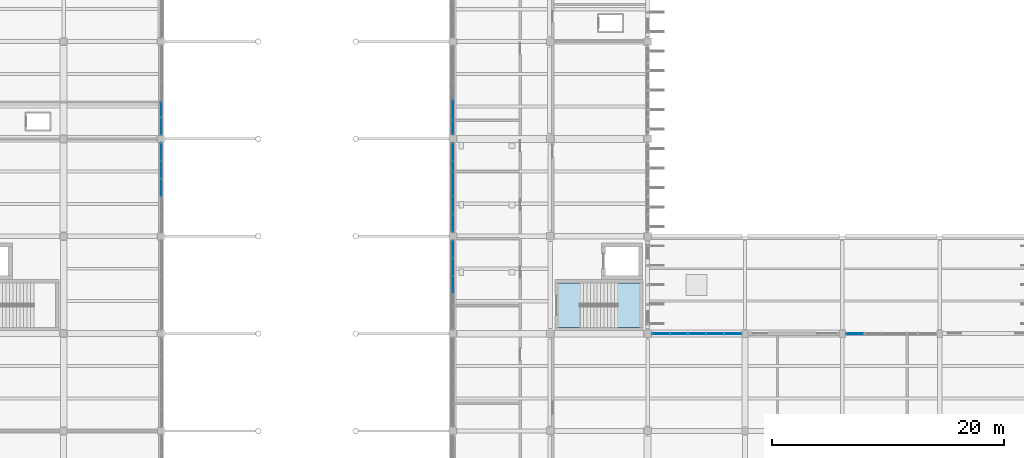
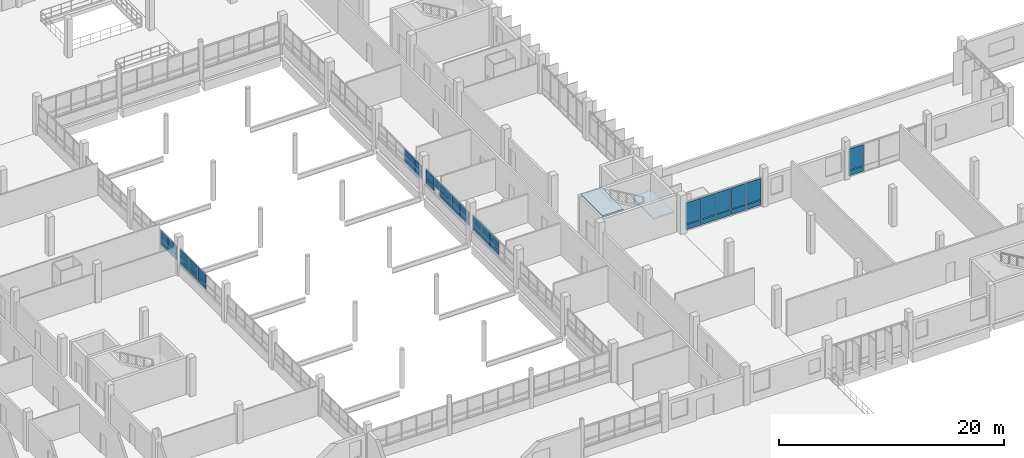
# One storey, part 75 of 101: 41 plates, 2 slabs, 8 elements without a shape of their own.
"""IFC4 building model written with IfcOpenShell, lengths in metres."""

from ifc_helpers import new_model, si_unit, direction, frame, origin, origin_2d, place, context, subcontext, project, spatial, polyline, rectangle, outline, extrude, material, layer, layer_set, type_object, element, aggregate, save


model = new_model("IFC4")

# Units and contexts
model_context = context("Model", 3, precision=1e-05, world=origin(), true_north=direction((0.0, 1.0)))
body_context = subcontext(model_context, "Body", "Model", "MODEL_VIEW")
ifc_project = project(units=[si_unit("LENGTHUNIT", "METRE"), si_unit("AREAUNIT", "SQUARE_METRE"), si_unit("VOLUMEUNIT", "CUBIC_METRE"), si_unit("PLANEANGLEUNIT", "RADIAN"), si_unit("MASSUNIT", "GRAM", prefix="KILO")], contexts=[model_context])

# Site, building, storey
site_placement = place(None, origin())
site = spatial("IfcSite", under=ifc_project, at=site_placement, CompositionType="ELEMENT")
building_placement = place(site_placement, origin())
building = spatial("IfcBuilding", under=site, at=building_placement, Name="Vireocrest Preparatory School", CompositionType="ELEMENT")
storey_placement = place(building_placement, frame((0.0, 0.0, 4.800048828125)))
storey = spatial("IfcBuildingStorey", under=building, at=storey_placement, Name="L01", CompositionType="ELEMENT", Elevation=4.800048828125)

# Curtain wall, plates
ifc_material_1 = material(Name="Thermally broken aluminium EN AW-6063-T6", Category="aluminium")
ifc_layer_1 = layer(ifc_material_1, 0.179931640625)
ifc_layer_set_1 = layer_set([ifc_layer_1], Name="Thermally broken aluminium EN AW-6063-T6")
curtain_wall_type_1 = type_object("IfcCurtainWallType", Name="Botanical Lab Glazing 8400x3400", PredefinedType="USERDEFINED", material=ifc_layer_set_1)
curtain_wall_1_placement = place(storey_placement, origin())
curtain_wall_1 = element("IfcCurtainWall", 1, at=curtain_wall_1_placement, inside=storey, type_object=curtain_wall_type_1, Name="Curtain Wall CW15 CW_L01_CW15_1095_0438_048", ObjectType="CURTAIN WALL", PredefinedType="USERDEFINED")
ifc_material_2 = material(Name="Insulated triple low-e tempered safety glass", Category="glass")
ifc_layer_2 = layer(ifc_material_2, 0.074951171875)
ifc_layer_set_2 = layer_set([ifc_layer_2], Name="Insulated triple low-e tempered safety glass")
plate_type_1 = type_object("IfcPlateType", Name="Acoustic Triple-Glazed Lab Curtain Panel 75", PredefinedType="CURTAIN_PANEL", material=ifc_layer_set_2)
plate_1_placement = place(storey_placement, frame((110.33544921875, 43.800048828125, 0.12744140625), z_axis=(0.0, 0.0, 1.0), x_axis=(1.0, 0.0, 0.0)))
plate_1 = element("IfcPlate", 2, at=plate_1_placement, type_object=plate_type_1, Name="CW Panel GL2 CW_L01_CW15_1095_0438_048-1-1", PredefinedType="CURTAIN_PANEL", context=body_context, shape_type="SweptSolid", body=[
    extrude(rectangle(XDim=1.486083984375, YDim=0.074951171875, at=origin_2d()), origin(), (0.0, 0.0, 1.0), 0.5400390625),
])
plate_2_placement = place(storey_placement, frame((110.33544921875, 43.800048828125, 0.732421875), z_axis=(0.0, 0.0, 1.0), x_axis=(1.0, 0.0, 0.0)))
plate_2 = element("IfcPlate", 3, at=plate_2_placement, type_object=plate_type_1, Name="CW Panel GL2 CW_L01_CW15_1095_0438_048-1-2", PredefinedType="CURTAIN_PANEL", context=body_context, shape_type="SweptSolid", body=[
    extrude(rectangle(XDim=1.486083984375, YDim=0.074951171875, at=origin_2d()), origin(), (0.0, 0.0, 1.0), 2.2900390625),
])
plate_3_placement = place(storey_placement, frame((111.886474609375, 43.800048828125, 0.12744140625), z_axis=(0.0, 0.0, 1.0), x_axis=(1.0, 0.0, 0.0)))
plate_3 = element("IfcPlate", 4, at=plate_3_placement, type_object=plate_type_1, Name="CW Panel GL2 CW_L01_CW15_1095_0438_048-2-1", PredefinedType="CURTAIN_PANEL", context=body_context, shape_type="SweptSolid", body=[
    extrude(rectangle(XDim=1.486083984375, YDim=0.074951171875, at=origin_2d()), origin(), (0.0, 0.0, 1.0), 0.5400390625),
])
plate_4_placement = place(storey_placement, frame((111.886474609375, 43.800048828125, 0.732421875), z_axis=(0.0, 0.0, 1.0), x_axis=(1.0, 0.0, 0.0)))
plate_4 = element("IfcPlate", 5, at=plate_4_placement, type_object=plate_type_1, Name="CW Panel GL2 CW_L01_CW15_1095_0438_048-2-2", PredefinedType="CURTAIN_PANEL", context=body_context, shape_type="SweptSolid", body=[
    extrude(rectangle(XDim=1.486083984375, YDim=0.074951171875, at=origin_2d()), origin(), (0.0, 0.0, 1.0), 2.2900390625),
])
plate_5_placement = place(storey_placement, frame((113.4375, 43.800048828125, 0.12744140625), z_axis=(0.0, 0.0, 1.0), x_axis=(1.0, 0.0, 0.0)))
plate_5 = element("IfcPlate", 6, at=plate_5_placement, type_object=plate_type_1, Name="CW Panel GL2 CW_L01_CW15_1095_0438_048-3-1", PredefinedType="CURTAIN_PANEL", context=body_context, shape_type="SweptSolid", body=[
    extrude(rectangle(XDim=1.486083984375, YDim=0.074951171875, at=origin_2d()), origin(), (0.0, 0.0, 1.0), 0.5400390625),
])
plate_6_placement = place(storey_placement, frame((113.4375, 43.800048828125, 0.732421875), z_axis=(0.0, 0.0, 1.0), x_axis=(1.0, 0.0, 0.0)))
plate_6 = element("IfcPlate", 7, at=plate_6_placement, type_object=plate_type_1, Name="CW Panel GL2 CW_L01_CW15_1095_0438_048-3-2", PredefinedType="CURTAIN_PANEL", context=body_context, shape_type="SweptSolid", body=[
    extrude(rectangle(XDim=1.486083984375, YDim=0.074951171875, at=origin_2d()), origin(), (0.0, 0.0, 1.0), 2.2900390625),
])
plate_7_placement = place(storey_placement, frame((114.988525390625, 43.800048828125, 0.12744140625), z_axis=(0.0, 0.0, 1.0), x_axis=(1.0, 0.0, 0.0)))
plate_7 = element("IfcPlate", 8, at=plate_7_placement, type_object=plate_type_1, Name="CW Panel GL2 CW_L01_CW15_1095_0438_048-4-1", PredefinedType="CURTAIN_PANEL", context=body_context, shape_type="SweptSolid", body=[
    extrude(rectangle(XDim=1.486083984375, YDim=0.074951171875, at=origin_2d()), origin(), (0.0, 0.0, 1.0), 0.5400390625),
])
plate_8_placement = place(storey_placement, frame((114.988525390625, 43.800048828125, 0.732421875), z_axis=(0.0, 0.0, 1.0), x_axis=(1.0, 0.0, 0.0)))
plate_8 = element("IfcPlate", 9, at=plate_8_placement, type_object=plate_type_1, Name="CW Panel GL2 CW_L01_CW15_1095_0438_048-4-2", PredefinedType="CURTAIN_PANEL", context=body_context, shape_type="SweptSolid", body=[
    extrude(rectangle(XDim=1.486083984375, YDim=0.074951171875, at=origin_2d()), origin(), (0.0, 0.0, 1.0), 2.2900390625),
])
plate_9_placement = place(storey_placement, frame((116.53955078125, 43.800048828125, 0.12744140625), z_axis=(0.0, 0.0, 1.0), x_axis=(1.0, 0.0, 0.0)))
plate_9 = element("IfcPlate", 10, at=plate_9_placement, type_object=plate_type_1, Name="CW Panel GL2 CW_L01_CW15_1095_0438_048-5-1", PredefinedType="CURTAIN_PANEL", context=body_context, shape_type="SweptSolid", body=[
    extrude(rectangle(XDim=1.486083984375, YDim=0.074951171875, at=origin_2d()), origin(), (0.0, 0.0, 1.0), 0.5400390625),
])
plate_10_placement = place(storey_placement, frame((116.53955078125, 43.800048828125, 0.732421875), z_axis=(0.0, 0.0, 1.0), x_axis=(1.0, 0.0, 0.0)))
plate_10 = element("IfcPlate", 11, at=plate_10_placement, type_object=plate_type_1, Name="CW Panel GL2 CW_L01_CW15_1095_0438_048-5-2", PredefinedType="CURTAIN_PANEL", context=body_context, shape_type="SweptSolid", body=[
    extrude(rectangle(XDim=1.486083984375, YDim=0.074951171875, at=origin_2d()), origin(), (0.0, 0.0, 1.0), 2.2900390625),
])
aggregate(curtain_wall_1, [plate_1, plate_2, plate_3, plate_4, plate_5, plate_6, plate_7, plate_8, plate_9, plate_10])

ifc_layer_3 = layer(ifc_material_1, 0.179931640625)
ifc_layer_set_3 = layer_set([ifc_layer_3], Name="Thermally broken aluminium EN AW-6063-T6")
curtain_wall_type_2 = type_object("IfcCurtainWallType", Name="Library Reading Bay Glazing 7600x4200", PredefinedType="USERDEFINED", material=ifc_layer_set_3)
curtain_wall_2_placement = place(storey_placement, origin())
curtain_wall_2 = element("IfcCurtainWall", 12, at=curtain_wall_2_placement, inside=storey, type_object=curtain_wall_type_2, Name="Curtain Wall CW16 CW_L01_CW16_1262_0438_048", ObjectType="CURTAIN WALL", PredefinedType="USERDEFINED")
plate_11_placement = place(storey_placement, frame((127.068115234375, 43.800048828125, 0.12744140625), z_axis=(0.0, 0.0, 1.0), x_axis=(1.0, 0.0, 0.0)))
plate_11 = element("IfcPlate", 13, at=plate_11_placement, type_object=plate_type_1, Name="CW Panel GL2 CW_L01_CW16_1262_0438_048-1-1", PredefinedType="CURTAIN_PANEL", context=body_context, shape_type="SweptSolid", body=[
    extrude(rectangle(XDim=1.5009765625, YDim=0.074951171875, at=origin_2d()), origin(), (0.0, 0.0, 1.0), 0.5400390625),
])
plate_12_placement = place(storey_placement, frame((127.068115234375, 43.800048828125, 0.732421875), z_axis=(0.0, 0.0, 1.0), x_axis=(1.0, 0.0, 0.0)))
plate_12 = element("IfcPlate", 14, at=plate_12_placement, type_object=plate_type_1, Name="CW Panel GL2 CW_L01_CW16_1262_0438_048-1-2", PredefinedType="CURTAIN_PANEL", context=body_context, shape_type="SweptSolid", body=[
    extrude(rectangle(XDim=1.5009765625, YDim=0.074951171875, at=origin_2d()), origin(), (0.0, 0.0, 1.0), 2.2900390625),
])
aggregate(curtain_wall_2, [plate_11, plate_12])

# Stair, slabs
ifc_material_3 = material(Name="Concrete 40 MPa", Category="concrete")
stair_type = type_object("IfcStairType", Name="Feature Library Stair 4200 Rise 1800 Wide", PredefinedType="HALF_TURN_STAIR", material=ifc_material_3)
stair_placement = place(storey_placement, origin())
stair = element("IfcStair", 15, at=stair_placement, inside=storey, type_object=stair_type, Name="Two-Run Stair ST2-L01", PredefinedType="HALF_TURN_STAIR")
ifc_layer_4 = layer(ifc_material_3, 0.179931640625)
ifc_layer_set_4 = layer_set([ifc_layer_4], Name="Concrete 40 MPa")
slab_type = type_object("IfcSlabType", Name="Precast Concrete Stair Landing Slab 180", PredefinedType="LANDING", material=ifc_layer_set_4)
slab_1_placement = place(storey_placement, frame((0.0, 0.0, 1.919921875)))
slab_1 = element("IfcSlab", 16, at=slab_1_placement, type_object=slab_type, Name="Stair Half-Landing ST2-L01", PredefinedType="LANDING", context=body_context, shape_type="SweptSolid", body=[
    extrude(outline(polyline([(106.590087890625, 44.31005859375), (108.64501953125, 44.31005859375), (108.64501953125, 48.18994140625), (106.590087890625, 48.18994140625), (106.590087890625, 44.31005859375)])), origin(), (0.0, 0.0, 1.0), 0.179931640625),
])
slab_2_placement = place(storey_placement, frame((0.0, 0.0, 4.02001953125)))
slab_2 = element("IfcSlab", 17, at=slab_2_placement, type_object=slab_type, Name="Stair Arrival Landing ST2-L01", PredefinedType="LANDING", context=body_context, shape_type="SweptSolid", body=[
    extrude(outline(polyline([(101.35498046875, 44.31005859375), (103.465087890625, 44.31005859375), (103.465087890625, 48.18994140625), (101.35498046875, 48.18994140625), (101.35498046875, 44.31005859375)])), origin(), (0.0, 0.0, 1.0), 0.179931640625),
])
aggregate(stair, [slab_1, slab_2])

# Curtain wall, plates
ifc_layer_5 = layer(ifc_material_1, 0.179931640625)
ifc_layer_set_5 = layer_set([ifc_layer_5], Name="Thermally broken aluminium EN AW-6063-T6")
curtain_wall_type_3 = type_object("IfcCurtainWallType", Name="Court Banded Curtain Wall 8400x3000", PredefinedType="USERDEFINED", material=ifc_layer_set_5)
curtain_wall_3_placement = place(storey_placement, origin())
curtain_wall_3 = element("IfcCurtainWall", 18, at=curtain_wall_3_placement, inside=storey, type_object=curtain_wall_type_3, Name="Curtain Wall CW02 CW_L01_CW02_0672_0525_060", ObjectType="CURTAIN WALL", PredefinedType="USERDEFINED")
ifc_layer_6 = layer(ifc_material_2, 0.06005859375)
ifc_layer_set_6 = layer_set([ifc_layer_6], Name="Insulated triple low-e tempered safety glass")
plate_type_2 = type_object("IfcPlateType", Name="Triple-Glazed Vision Curtain Panel 60", PredefinedType="CURTAIN_PANEL", material=ifc_layer_set_6)
plate_13_placement = place(storey_placement, frame((67.199951171875, 56.39990234375, 1.27734375), z_axis=(0.0, 0.0, 1.0), x_axis=(0.0, 1.0, 0.0)))
plate_13 = element("IfcPlate", 19, at=plate_13_placement, type_object=plate_type_2, Name="CW Panel GL1 CW_L01_CW02_0672_0525_060-3-1", PredefinedType="CURTAIN_PANEL", context=body_context, shape_type="SweptSolid", body=[
    extrude(rectangle(XDim=1.48095703125, YDim=0.06005859375, at=origin_2d()), origin(), (0.0, 0.0, 1.0), 0.5400390625),
])
plate_14_placement = place(storey_placement, frame((67.199951171875, 56.39990234375, 1.88232421875), z_axis=(0.0, 0.0, 1.0), x_axis=(0.0, 1.0, 0.0)))
plate_14 = element("IfcPlate", 20, at=plate_14_placement, type_object=plate_type_2, Name="CW Panel GL1 CW_L01_CW02_0672_0525_060-3-2", PredefinedType="CURTAIN_PANEL", context=body_context, shape_type="SweptSolid", body=[
    extrude(rectangle(XDim=1.48095703125, YDim=0.06005859375, at=origin_2d()), origin(), (0.0, 0.0, 1.0), 0.969970703125),
])
plate_15_placement = place(storey_placement, frame((67.199951171875, 57.946044921875, 1.27734375), z_axis=(0.0, 0.0, 1.0), x_axis=(0.0, 1.0, 0.0)))
plate_15 = element("IfcPlate", 21, at=plate_15_placement, type_object=plate_type_2, Name="CW Panel GL1 CW_L01_CW02_0672_0525_060-4-1", PredefinedType="CURTAIN_PANEL", context=body_context, shape_type="SweptSolid", body=[
    extrude(rectangle(XDim=1.48095703125, YDim=0.06005859375, at=origin_2d()), origin(), (0.0, 0.0, 1.0), 0.5400390625),
])
plate_16_placement = place(storey_placement, frame((67.199951171875, 57.946044921875, 1.88232421875), z_axis=(0.0, 0.0, 1.0), x_axis=(0.0, 1.0, 0.0)))
plate_16 = element("IfcPlate", 22, at=plate_16_placement, type_object=plate_type_2, Name="CW Panel GL1 CW_L01_CW02_0672_0525_060-4-2", PredefinedType="CURTAIN_PANEL", context=body_context, shape_type="SweptSolid", body=[
    extrude(rectangle(XDim=1.48095703125, YDim=0.06005859375, at=origin_2d()), origin(), (0.0, 0.0, 1.0), 0.969970703125),
])
plate_17_placement = place(storey_placement, frame((67.199951171875, 59.491943359375, 1.27734375), z_axis=(0.0, 0.0, 1.0), x_axis=(0.0, 1.0, 0.0)))
plate_17 = element("IfcPlate", 23, at=plate_17_placement, type_object=plate_type_2, Name="CW Panel GL1 CW_L01_CW02_0672_0525_060-5-1", PredefinedType="CURTAIN_PANEL", context=body_context, shape_type="SweptSolid", body=[
    extrude(rectangle(XDim=1.48095703125, YDim=0.06005859375, at=origin_2d()), origin(), (0.0, 0.0, 1.0), 0.5400390625),
])
plate_18_placement = place(storey_placement, frame((67.199951171875, 59.491943359375, 1.88232421875), z_axis=(0.0, 0.0, 1.0), x_axis=(0.0, 1.0, 0.0)))
plate_18 = element("IfcPlate", 24, at=plate_18_placement, type_object=plate_type_2, Name="CW Panel GL1 CW_L01_CW02_0672_0525_060-5-2", PredefinedType="CURTAIN_PANEL", context=body_context, shape_type="SweptSolid", body=[
    extrude(rectangle(XDim=1.48095703125, YDim=0.06005859375, at=origin_2d()), origin(), (0.0, 0.0, 1.0), 0.969970703125),
])
aggregate(curtain_wall_3, [plate_13, plate_14, plate_15, plate_16, plate_17, plate_18])

curtain_wall_4_placement = place(storey_placement, origin())
curtain_wall_4 = element("IfcCurtainWall", 25, at=curtain_wall_4_placement, inside=storey, type_object=curtain_wall_type_3, Name="Curtain Wall CW02 CW_L01_CW02_0672_0609_060", ObjectType="CURTAIN WALL", PredefinedType="USERDEFINED")
plate_19_placement = place(storey_placement, frame((67.199951171875, 61.7080078125, 1.27734375), z_axis=(0.0, 0.0, 1.0), x_axis=(0.0, 1.0, 0.0)))
plate_19 = element("IfcPlate", 26, at=plate_19_placement, type_object=plate_type_2, Name="CW Panel GL1 CW_L01_CW02_0672_0609_060-1-1", PredefinedType="CURTAIN_PANEL", context=body_context, shape_type="SweptSolid", body=[
    extrude(rectangle(XDim=1.48095703125, YDim=0.06005859375, at=origin_2d()), origin(), (0.0, 0.0, 1.0), 0.5400390625),
])
plate_20_placement = place(storey_placement, frame((67.199951171875, 61.7080078125, 1.882568359375), z_axis=(0.0, 0.0, 1.0), x_axis=(0.0, 1.0, 0.0)))
plate_20 = element("IfcPlate", 27, at=plate_20_placement, type_object=plate_type_2, Name="CW Panel GL1 CW_L01_CW02_0672_0609_060-1-2", PredefinedType="CURTAIN_PANEL", context=body_context, shape_type="SweptSolid", body=[
    extrude(rectangle(XDim=1.48095703125, YDim=0.06005859375, at=origin_2d()), origin(), (0.0, 0.0, 1.0), 0.919921875),
])
plate_21_placement = place(storey_placement, frame((67.199951171875, 63.140380859375, 1.27734375), z_axis=(0.0, 0.0, 1.0), x_axis=(0.0, 1.0, 0.0)))
plate_21 = element("IfcPlate", 28, at=plate_21_placement, type_object=plate_type_2, Name="CW Panel GL1 CW_L01_CW02_0672_0609_060-2-1", PredefinedType="CURTAIN_PANEL", context=body_context, shape_type="SweptSolid", body=[
    extrude(rectangle(XDim=1.25390625, YDim=0.06005859375, at=origin_2d()), origin(), (0.0, 0.0, 1.0), 0.5400390625),
])
plate_22_placement = place(storey_placement, frame((67.199951171875, 63.140380859375, 1.882568359375), z_axis=(0.0, 0.0, 1.0), x_axis=(0.0, 1.0, 0.0)))
plate_22 = element("IfcPlate", 29, at=plate_22_placement, type_object=plate_type_2, Name="CW Panel GL1 CW_L01_CW02_0672_0609_060-2-2", PredefinedType="CURTAIN_PANEL", context=body_context, shape_type="SweptSolid", body=[
    extrude(rectangle(XDim=1.25390625, YDim=0.06005859375, at=origin_2d()), origin(), (0.0, 0.0, 1.0), 0.919921875),
])
aggregate(curtain_wall_4, [plate_19, plate_20, plate_21, plate_22])

curtain_wall_5_placement = place(storey_placement, origin())
curtain_wall_5 = element("IfcCurtainWall", 30, at=curtain_wall_5_placement, inside=storey, type_object=curtain_wall_type_3, Name="Curtain Wall CW02 CW_L01_CW02_0924_0441_060", ObjectType="CURTAIN WALL", PredefinedType="USERDEFINED")
plate_23_placement = place(storey_placement, frame((92.39990234375, 48.0, 1.27734375), z_axis=(0.0, 0.0, 1.0), x_axis=(0.0, 1.0, 0.0)))
plate_23 = element("IfcPlate", 31, at=plate_23_placement, type_object=plate_type_2, Name="CW Panel GL1 CW_L01_CW02_0924_0441_060-3-1", PredefinedType="CURTAIN_PANEL", context=body_context, shape_type="SweptSolid", body=[
    extrude(rectangle(XDim=1.470947265625, YDim=0.06005859375, at=origin_2d()), origin(), (0.0, 0.0, 1.0), 0.5400390625),
])
plate_24_placement = place(storey_placement, frame((92.39990234375, 48.0, 1.88232421875), z_axis=(0.0, 0.0, 1.0), x_axis=(0.0, 1.0, 0.0)))
plate_24 = element("IfcPlate", 32, at=plate_24_placement, type_object=plate_type_2, Name="CW Panel GL1 CW_L01_CW02_0924_0441_060-3-2", PredefinedType="CURTAIN_PANEL", context=body_context, shape_type="SweptSolid", body=[
    extrude(rectangle(XDim=1.470947265625, YDim=0.06005859375, at=origin_2d()), origin(), (0.0, 0.0, 1.0), 0.909912109375),
])
plate_25_placement = place(storey_placement, frame((92.39990234375, 49.535888671875, 1.27734375), z_axis=(0.0, 0.0, 1.0), x_axis=(0.0, 1.0, 0.0)))
plate_25 = element("IfcPlate", 33, at=plate_25_placement, type_object=plate_type_2, Name="CW Panel GL1 CW_L01_CW02_0924_0441_060-4-1", PredefinedType="CURTAIN_PANEL", context=body_context, shape_type="SweptSolid", body=[
    extrude(rectangle(XDim=1.470947265625, YDim=0.06005859375, at=origin_2d()), origin(), (0.0, 0.0, 1.0), 0.5400390625),
])
plate_26_placement = place(storey_placement, frame((92.39990234375, 49.535888671875, 1.88232421875), z_axis=(0.0, 0.0, 1.0), x_axis=(0.0, 1.0, 0.0)))
plate_26 = element("IfcPlate", 34, at=plate_26_placement, type_object=plate_type_2, Name="CW Panel GL1 CW_L01_CW02_0924_0441_060-4-2", PredefinedType="CURTAIN_PANEL", context=body_context, shape_type="SweptSolid", body=[
    extrude(rectangle(XDim=1.470947265625, YDim=0.06005859375, at=origin_2d()), origin(), (0.0, 0.0, 1.0), 0.909912109375),
])
plate_27_placement = place(storey_placement, frame((92.39990234375, 51.072021484375, 1.27734375), z_axis=(0.0, 0.0, 1.0), x_axis=(0.0, 1.0, 0.0)))
plate_27 = element("IfcPlate", 35, at=plate_27_placement, type_object=plate_type_2, Name="CW Panel GL1 CW_L01_CW02_0924_0441_060-5-1", PredefinedType="CURTAIN_PANEL", context=body_context, shape_type="SweptSolid", body=[
    extrude(rectangle(XDim=1.470947265625, YDim=0.06005859375, at=origin_2d()), origin(), (0.0, 0.0, 1.0), 0.5400390625),
])
plate_28_placement = place(storey_placement, frame((92.39990234375, 51.072021484375, 1.88232421875), z_axis=(0.0, 0.0, 1.0), x_axis=(0.0, 1.0, 0.0)))
plate_28 = element("IfcPlate", 36, at=plate_28_placement, type_object=plate_type_2, Name="CW Panel GL1 CW_L01_CW02_0924_0441_060-5-2", PredefinedType="CURTAIN_PANEL", context=body_context, shape_type="SweptSolid", body=[
    extrude(rectangle(XDim=1.470947265625, YDim=0.06005859375, at=origin_2d()), origin(), (0.0, 0.0, 1.0), 0.909912109375),
])
aggregate(curtain_wall_5, [plate_23, plate_24, plate_25, plate_26, plate_27, plate_28])

curtain_wall_6_placement = place(storey_placement, origin())
curtain_wall_6 = element("IfcCurtainWall", 37, at=curtain_wall_6_placement, inside=storey, type_object=curtain_wall_type_3, Name="Curtain Wall CW02 CW_L01_CW02_0924_0525_060", ObjectType="CURTAIN WALL", PredefinedType="USERDEFINED")
plate_29_placement = place(storey_placement, frame((92.39990234375, 53.327880859375, 1.27734375), z_axis=(0.0, 0.0, 1.0), x_axis=(0.0, 1.0, 0.0)))
plate_29 = element("IfcPlate", 38, at=plate_29_placement, type_object=plate_type_2, Name="CW Panel GL1 CW_L01_CW02_0924_0525_060-1-1", PredefinedType="CURTAIN_PANEL", context=body_context, shape_type="SweptSolid", body=[
    extrude(rectangle(XDim=1.470947265625, YDim=0.06005859375, at=origin_2d()), origin(), (0.0, 0.0, 1.0), 0.5400390625),
])
plate_30_placement = place(storey_placement, frame((92.39990234375, 53.327880859375, 1.88232421875), z_axis=(0.0, 0.0, 1.0), x_axis=(0.0, 1.0, 0.0)))
plate_30 = element("IfcPlate", 39, at=plate_30_placement, type_object=plate_type_2, Name="CW Panel GL1 CW_L01_CW02_0924_0525_060-1-2", PredefinedType="CURTAIN_PANEL", context=body_context, shape_type="SweptSolid", body=[
    extrude(rectangle(XDim=1.470947265625, YDim=0.06005859375, at=origin_2d()), origin(), (0.0, 0.0, 1.0), 0.860107421875),
])
plate_31_placement = place(storey_placement, frame((92.39990234375, 54.864013671875, 1.27734375), z_axis=(0.0, 0.0, 1.0), x_axis=(0.0, 1.0, 0.0)))
plate_31 = element("IfcPlate", 40, at=plate_31_placement, type_object=plate_type_2, Name="CW Panel GL1 CW_L01_CW02_0924_0525_060-2-1", PredefinedType="CURTAIN_PANEL", context=body_context, shape_type="SweptSolid", body=[
    extrude(rectangle(XDim=1.470947265625, YDim=0.06005859375, at=origin_2d()), origin(), (0.0, 0.0, 1.0), 0.5400390625),
])
plate_32_placement = place(storey_placement, frame((92.39990234375, 54.864013671875, 1.88232421875), z_axis=(0.0, 0.0, 1.0), x_axis=(0.0, 1.0, 0.0)))
plate_32 = element("IfcPlate", 41, at=plate_32_placement, type_object=plate_type_2, Name="CW Panel GL1 CW_L01_CW02_0924_0525_060-2-2", PredefinedType="CURTAIN_PANEL", context=body_context, shape_type="SweptSolid", body=[
    extrude(rectangle(XDim=1.470947265625, YDim=0.06005859375, at=origin_2d()), origin(), (0.0, 0.0, 1.0), 0.860107421875),
])
plate_33_placement = place(storey_placement, frame((92.39990234375, 56.716064453125, 1.27734375), z_axis=(0.0, 0.0, 1.0), x_axis=(0.0, 1.0, 0.0)))
plate_33 = element("IfcPlate", 42, at=plate_33_placement, type_object=plate_type_2, Name="CW Panel GL1 CW_L01_CW02_0924_0525_060-3-1", PredefinedType="CURTAIN_PANEL", context=body_context, shape_type="SweptSolid", body=[
    extrude(rectangle(XDim=2.10302734375, YDim=0.06005859375, at=origin_2d()), origin(), (0.0, 0.0, 1.0), 0.5400390625),
])
plate_34_placement = place(storey_placement, frame((92.39990234375, 56.716064453125, 1.88232421875), z_axis=(0.0, 0.0, 1.0), x_axis=(0.0, 1.0, 0.0)))
plate_34 = element("IfcPlate", 43, at=plate_34_placement, type_object=plate_type_2, Name="CW Panel GL1 CW_L01_CW02_0924_0525_060-3-2", PredefinedType="CURTAIN_PANEL", context=body_context, shape_type="SweptSolid", body=[
    extrude(rectangle(XDim=2.10302734375, YDim=0.06005859375, at=origin_2d()), origin(), (0.0, 0.0, 1.0), 0.860107421875),
])
plate_35_placement = place(storey_placement, frame((92.39990234375, 58.251953125, 1.88232421875), z_axis=(0.0, 0.0, 1.0), x_axis=(0.0, 1.0, 0.0)))
plate_35 = element("IfcPlate", 44, at=plate_35_placement, type_object=plate_type_2, Name="CW Panel GL1 CW_L01_CW02_0924_0525_060-4-2", PredefinedType="CURTAIN_PANEL", context=body_context, shape_type="SweptSolid", body=[
    extrude(rectangle(XDim=0.839111328125, YDim=0.06005859375, at=origin_2d()), origin(), (0.0, 0.0, 1.0), 0.860107421875),
])
plate_36_placement = place(storey_placement, frame((92.39990234375, 59.471923828125, 1.27734375), z_axis=(0.0, 0.0, 1.0), x_axis=(0.0, 1.0, 0.0)))
plate_36 = element("IfcPlate", 45, at=plate_36_placement, type_object=plate_type_2, Name="CW Panel GL1 CW_L01_CW02_0924_0525_060-5-1", PredefinedType="CURTAIN_PANEL", context=body_context, shape_type="SweptSolid", body=[
    extrude(rectangle(XDim=1.470947265625, YDim=0.06005859375, at=origin_2d()), origin(), (0.0, 0.0, 1.0), 0.5400390625),
])
plate_37_placement = place(storey_placement, frame((92.39990234375, 59.471923828125, 1.88232421875), z_axis=(0.0, 0.0, 1.0), x_axis=(0.0, 1.0, 0.0)))
plate_37 = element("IfcPlate", 46, at=plate_37_placement, type_object=plate_type_2, Name="CW Panel GL1 CW_L01_CW02_0924_0525_060-5-2", PredefinedType="CURTAIN_PANEL", context=body_context, shape_type="SweptSolid", body=[
    extrude(rectangle(XDim=1.470947265625, YDim=0.06005859375, at=origin_2d()), origin(), (0.0, 0.0, 1.0), 0.860107421875),
])
aggregate(curtain_wall_6, [plate_29, plate_30, plate_31, plate_32, plate_33, plate_34, plate_35, plate_36, plate_37])

curtain_wall_7_placement = place(storey_placement, origin())
curtain_wall_7 = element("IfcCurtainWall", 47, at=curtain_wall_7_placement, inside=storey, type_object=curtain_wall_type_3, Name="Curtain Wall CW02 CW_L01_CW02_0924_0609_060", ObjectType="CURTAIN WALL", PredefinedType="USERDEFINED")
plate_38_placement = place(storey_placement, frame((92.39990234375, 61.580078125, 1.27734375), z_axis=(0.0, 0.0, 1.0), x_axis=(0.0, 1.0, 0.0)))
plate_38 = element("IfcPlate", 48, at=plate_38_placement, type_object=plate_type_2, Name="CW Panel GL1 CW_L01_CW02_0924_0609_060-1-1", PredefinedType="CURTAIN_PANEL", context=body_context, shape_type="SweptSolid", body=[
    extrude(rectangle(XDim=1.175048828125, YDim=0.06005859375, at=origin_2d()), origin(), (0.0, 0.0, 1.0), 0.5400390625),
])
plate_39_placement = place(storey_placement, frame((92.39990234375, 61.580078125, 1.88232421875), z_axis=(0.0, 0.0, 1.0), x_axis=(0.0, 1.0, 0.0)))
plate_39 = element("IfcPlate", 49, at=plate_39_placement, type_object=plate_type_2, Name="CW Panel GL1 CW_L01_CW02_0924_0609_060-1-2", PredefinedType="CURTAIN_PANEL", context=body_context, shape_type="SweptSolid", body=[
    extrude(rectangle(XDim=1.175048828125, YDim=0.06005859375, at=origin_2d()), origin(), (0.0, 0.0, 1.0), 0.760009765625),
])
plate_40_placement = place(storey_placement, frame((92.39990234375, 63.115966796875, 1.27734375), z_axis=(0.0, 0.0, 1.0), x_axis=(0.0, 1.0, 0.0)))
plate_40 = element("IfcPlate", 50, at=plate_40_placement, type_object=plate_type_2, Name="CW Panel GL1 CW_L01_CW02_0924_0609_060-2-1", PredefinedType="CURTAIN_PANEL", context=body_context, shape_type="SweptSolid", body=[
    extrude(rectangle(XDim=1.76708984375, YDim=0.06005859375, at=origin_2d()), origin(), (0.0, 0.0, 1.0), 0.5400390625),
])
plate_41_placement = place(storey_placement, frame((92.39990234375, 63.115966796875, 1.88232421875), z_axis=(0.0, 0.0, 1.0), x_axis=(0.0, 1.0, 0.0)))
plate_41 = element("IfcPlate", 51, at=plate_41_placement, type_object=plate_type_2, Name="CW Panel GL1 CW_L01_CW02_0924_0609_060-2-2", PredefinedType="CURTAIN_PANEL", context=body_context, shape_type="SweptSolid", body=[
    extrude(rectangle(XDim=1.76708984375, YDim=0.06005859375, at=origin_2d()), origin(), (0.0, 0.0, 1.0), 0.760009765625),
])
aggregate(curtain_wall_7, [plate_38, plate_39, plate_40, plate_41])

save(model, "model.ifc")
